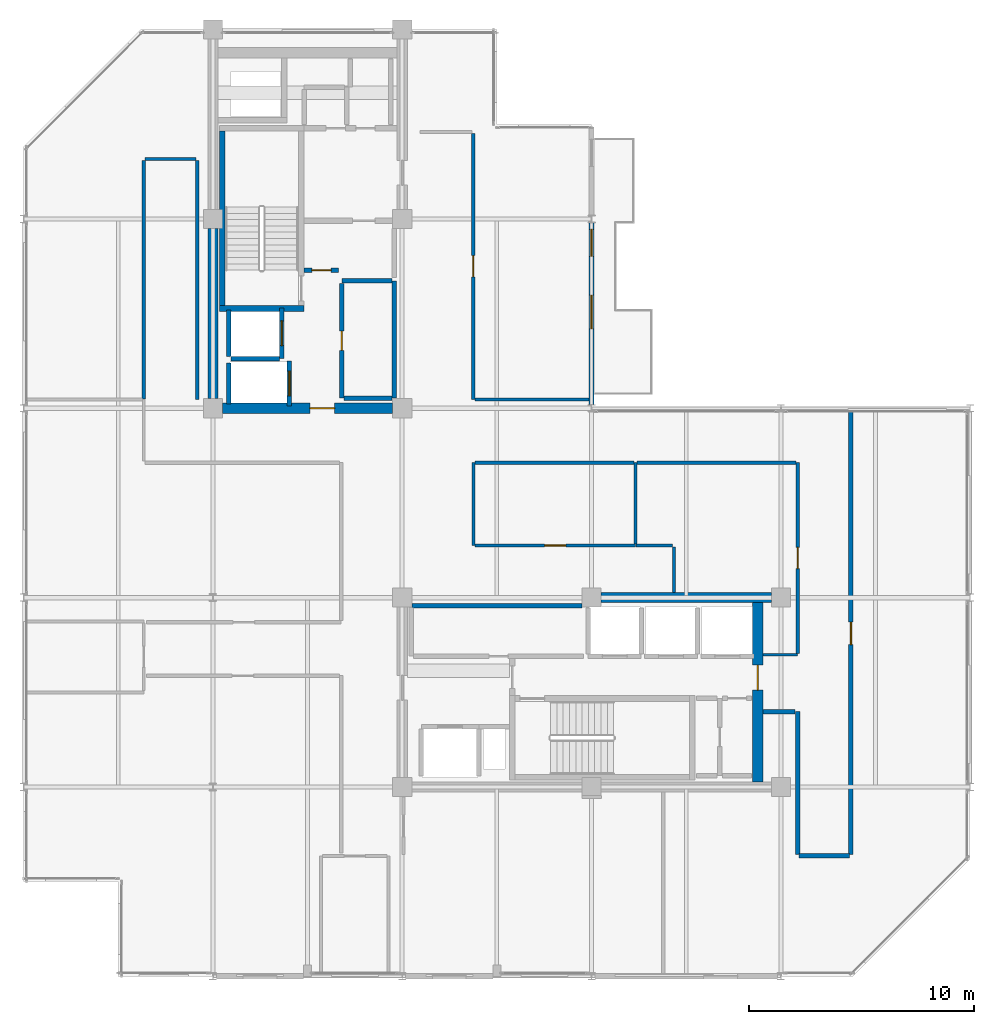
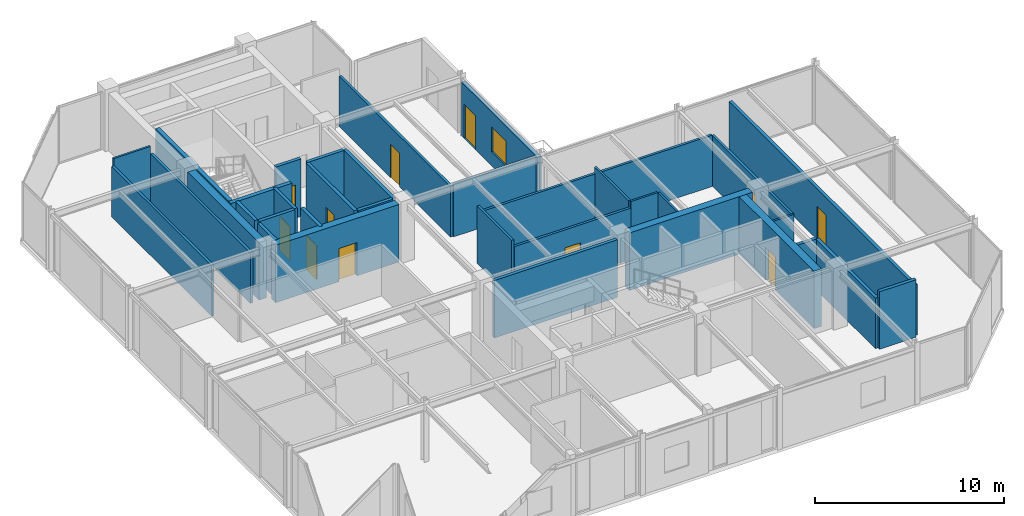
# One storey, part 22 of 26: 36 walls, 11 doors, 1 window, 12 openings.
"""IFC4 building model written with IfcOpenShell, lengths in metres."""

from ifc_helpers import new_model, si_unit, direction, frame, frame_2d, origin, place, context, subcontext, project, spatial, rectangle, extrude, material, layer, layer_set, type_object, element, fill, save


model = new_model("IFC4")

# Units and contexts
model_context = context("Model", 3, precision=1e-05, world=origin(), true_north=direction((0.0, 1.0)))
body_context = subcontext(model_context, "Body", "Model", "MODEL_VIEW")
ifc_project = project(units=[si_unit("LENGTHUNIT", "METRE"), si_unit("AREAUNIT", "SQUARE_METRE"), si_unit("VOLUMEUNIT", "CUBIC_METRE"), si_unit("PLANEANGLEUNIT", "RADIAN"), si_unit("MASSUNIT", "GRAM", prefix="KILO")], contexts=[model_context])

# Site, building, storey
site_placement = place(None, origin())
site = spatial("IfcSite", under=ifc_project, at=site_placement, CompositionType="ELEMENT")
building_placement = place(site_placement, origin())
building = spatial("IfcBuilding", under=site, at=building_placement, Name="Nerrivon Quay Data Exchange", CompositionType="ELEMENT")
storey_placement = place(building_placement, frame((0.0, 0.0, 270.199951171875)))
storey = spatial("IfcBuildingStorey", under=building, at=storey_placement, Name="L64", CompositionType="ELEMENT", Elevation=270.199951171875)

# Wall, openings, door, window
ifc_material_1 = material(Name="Architectural terracotta precast concrete N50 (50 MPa)", Category="masonry")
ifc_layer_1 = layer(ifc_material_1, 0.239990234375)
ifc_layer_set_1 = layer_set([ifc_layer_1], Name="Architectural terracotta precast concrete N50 (50 MPa)")
wall_type_1 = type_object("IfcWallType", Name="EW-PREC-240", PredefinedType="STANDARD", material=ifc_layer_set_1)
wall_1_placement = place(storey_placement, frame((25.199951171875, 33.4365234375, 0.0), z_axis=(0.0, 0.0, 1.0), x_axis=(0.0, -1.0, 0.0)))
wall_1 = element("IfcWall", 1, at=wall_1_placement, inside=storey, type_object=wall_type_1, Name="L64 Terrace Host Wall 23", PredefinedType="STANDARD", context=body_context, shape_type="SweptSolid", body=[
    extrude(rectangle(XDim=8.072998046875, YDim=0.239990234375, at=frame_2d((4.03662109375, 0.0))), origin(), (0.0, 0.0, 1.0), 3.47509765625),
])
opening_1_placement = place(wall_1_placement, frame((0.300048828125, 0.0, 0.0)))
opening_1 = element("IfcOpeningElement", 2, at=opening_1_placement, cuts=wall_1, Name="Opening TD1", PredefinedType="OPENING", context=body_context, shape_type="SweptSolid", body=[
    extrude(rectangle(XDim=1.199951171875, YDim=2.199951171875, at=frame_2d((0.60009765625, 1.10009765625))), frame((0.0, 0.1298828125, 0.0), z_axis=(0.0, -1.0, 0.0), x_axis=(1.0, 0.0, 0.0)), (0.0, 0.0, 1.0), 0.260009765625),
])
opening_2_placement = place(wall_1_placement, frame((3.21435546875, 0.0, 0.89990234375)))
opening_2 = element("IfcOpeningElement", 3, at=opening_2_placement, cuts=wall_1, Name="Opening WN4", PredefinedType="OPENING", context=body_context, shape_type="SweptSolid", body=[
    extrude(rectangle(XDim=1.5, YDim=1.60009765625, at=frame_2d((0.75, 0.800048828125))), frame((0.0, 0.1298828125, 0.0), z_axis=(0.0, -1.0, 0.0), x_axis=(1.0, 0.0, 0.0)), (0.0, 0.0, 1.0), 0.260009765625),
])
ifc_material_2 = material(Name="Double-glazed low-E solar control glass", Category="glass")
door_type_1 = type_object("IfcDoorType", Name="DR-TERR-1200x2200", OperationType="NOTDEFINED", PredefinedType="DOOR", material=ifc_material_2)
door_1_placement = place(opening_1_placement, origin())
door_1 = element("IfcDoor", 4, at=door_1_placement, inside=storey, type_object=door_type_1, Name="L64 Outdoor Terrace Access Door 23", OperationType="SINGLE_SWING_RIGHT", OverallHeight=2.199951171875, OverallWidth=1.199951171875, PredefinedType="DOOR", context=body_context, shape_type="SweptSolid", body=[
    extrude(rectangle(XDim=1.199951171875, YDim=2.199951171875, at=frame_2d((0.60009765625, 1.10009765625))), frame((0.0, 0.02490234375, 0.0), z_axis=(0.0, -1.0, 0.0), x_axis=(1.0, 0.0, 0.0)), (0.0, 0.0, 1.0), 0.050048828125),
])
fill(opening_1, door_1)
window_type = type_object("IfcWindowType", Name="WIN-W4-1500x1600", PartitioningType="SINGLE_PANEL", PredefinedType="WINDOW", material=ifc_material_2)
window_placement = place(opening_2_placement, origin())
window = element("IfcWindow", 5, at=window_placement, inside=storey, type_object=window_type, Name="L64 Terrace Side Window 23", OverallHeight=1.60009765625, OverallWidth=1.5, PartitioningType="SINGLE_PANEL", PredefinedType="WINDOW", context=body_context, shape_type="SweptSolid", body=[
    extrude(rectangle(XDim=1.5, YDim=1.60009765625, at=frame_2d((0.75, 0.800048828125))), frame((0.0, 0.030029296875, 0.0), z_axis=(0.0, -1.0, 0.0), x_axis=(1.0, 0.0, 0.0)), (0.0, 0.0, 1.0), 0.06005859375),
])
fill(opening_2, window)

# Wall
ifc_material_3 = material(Name="Concrete N50 (50 MPa)", Category="concrete")
ifc_layer_2 = layer(ifc_material_3, 0.449951171875)
ifc_layer_set_2 = layer_set([ifc_layer_2], Name="Concrete N50 (50 MPa)")
wall_type_2 = type_object("IfcWallType", Name="WALL-CW-550", PredefinedType="SHEAR", material=ifc_layer_set_2)
wall_2_placement = place(storey_placement, frame((8.39990234375, 25.625, 0.0), z_axis=(0.0, 0.0, 1.0), x_axis=(0.0, 1.0, 0.0)))
element("IfcWall", 6, at=wall_2_placement, inside=storey, type_object=wall_type_2, Name="L64 West Split-Core Shear Wall WCW-W1", PredefinedType="SHEAR", context=body_context, shape_type="SweptSolid", body=[
    extrude(rectangle(XDim=7.550048828125, YDim=0.449951171875, at=frame_2d((3.77490234375, 0.0))), origin(), (0.0, 0.0, 1.0), 3.72509765625),
])

# Wall, opening, door
wall_3_placement = place(storey_placement, frame((8.824951171875, 25.199951171875, 0.0), z_axis=(0.0, 0.0, 1.0), x_axis=(1.0, 0.0, 0.0)))
wall_3 = element("IfcWall", 7, at=wall_3_placement, inside=storey, type_object=wall_type_2, Name="L64 West Split-Core Shear Wall WCW-S1", PredefinedType="SHEAR", context=body_context, shape_type="SweptSolid", body=[
    extrude(rectangle(XDim=7.550048828125, YDim=0.449951171875, at=frame_2d((3.77490234375, 0.0))), origin(), (0.0, 0.0, 1.0), 3.72509765625),
])
opening_3_placement = place(wall_3_placement, frame((3.875, 0.0, 0.0)))
opening_3 = element("IfcOpeningElement", 8, at=opening_3_placement, cuts=wall_3, Name="Opening FD-120", PredefinedType="OPENING", context=body_context, shape_type="SweptSolid", body=[
    extrude(rectangle(XDim=1.10009765625, YDim=2.14990234375, at=frame_2d((0.550048828125, 1.074951171875))), frame((0.0, 0.23486328125, 0.0), z_axis=(0.0, -1.0, 0.0), x_axis=(1.0, 0.0, 0.0)), (0.0, 0.0, 1.0), 0.469970703125),
])
ifc_material_4 = material(Name="Powder-coated galvanized steel sheet", Category="steel")
door_type_2 = type_object("IfcDoorType", Name="DR-FD120-1100", OperationType="NOTDEFINED", PredefinedType="DOOR", material=ifc_material_4)
door_2_placement = place(opening_3_placement, origin())
door_2 = element("IfcDoor", 9, at=door_2_placement, inside=storey, type_object=door_type_2, Name="L64 West Core Lobby Fire Door", OperationType="SINGLE_SWING_RIGHT", OverallHeight=2.14990234375, OverallWidth=1.10009765625, PredefinedType="DOOR", context=body_context, shape_type="SweptSolid", body=[
    extrude(rectangle(XDim=1.10009765625, YDim=2.14990234375, at=frame_2d((0.550048828125, 1.074951171875))), frame((0.0, 0.02490234375, 0.0), z_axis=(0.0, -1.0, 0.0), x_axis=(1.0, 0.0, 0.0)), (0.0, 0.0, 1.0), 0.050048828125),
])
fill(opening_3, door_2)

wall_4_placement = place(storey_placement, frame((32.574951171875, 8.625, 0.0), z_axis=(0.0, 0.0, 1.0), x_axis=(0.0, 1.0, 0.0)))
wall_4 = element("IfcWall", 10, at=wall_4_placement, inside=storey, type_object=wall_type_2, Name="L64 East Split-Core Shear Wall ECW-E1", PredefinedType="SHEAR", context=body_context, shape_type="SweptSolid", body=[
    extrude(rectangle(XDim=7.949951171875, YDim=0.449951171875, at=frame_2d((3.97509765625, 0.0))), origin(), (0.0, 0.0, 1.0), 3.72509765625),
])
opening_4_placement = place(wall_4_placement, frame((4.074951171875, 0.0, 0.0)))
opening_4 = element("IfcOpeningElement", 11, at=opening_4_placement, cuts=wall_4, Name="Opening FD-120", PredefinedType="OPENING", context=body_context, shape_type="SweptSolid", body=[
    extrude(rectangle(XDim=1.10009765625, YDim=2.14990234375, at=frame_2d((0.550048828125, 1.074951171875))), frame((0.0, 0.23486328125, 0.0), z_axis=(0.0, -1.0, 0.0), x_axis=(1.0, 0.0, 0.0)), (0.0, 0.0, 1.0), 0.469970703125),
])
door_3_placement = place(opening_4_placement, origin())
door_3 = element("IfcDoor", 12, at=door_3_placement, inside=storey, type_object=door_type_2, Name="L64 East Core Lobby Fire Door", OperationType="SINGLE_SWING_LEFT", OverallHeight=2.14990234375, OverallWidth=1.10009765625, PredefinedType="DOOR", context=body_context, shape_type="SweptSolid", body=[
    extrude(rectangle(XDim=1.10009765625, YDim=2.14990234375, at=frame_2d((0.550048828125, 1.074951171875))), frame((0.0, 0.02490234375, 0.0), z_axis=(0.0, -1.0, 0.0), x_axis=(1.0, 0.0, 0.0)), (0.0, 0.0, 1.0), 0.050048828125),
])
fill(opening_4, door_3)

# Wall
wall_5_placement = place(storey_placement, frame((25.625, 16.800048828125, 0.0), z_axis=(0.0, 0.0, 1.0), x_axis=(1.0, 0.0, 0.0)))
element("IfcWall", 13, at=wall_5_placement, inside=storey, type_object=wall_type_2, Name="L64 East Split-Core Shear Wall ECW-N1", PredefinedType="SHEAR", context=body_context, shape_type="SweptSolid", body=[
    extrude(rectangle(XDim=7.550048828125, YDim=0.449951171875, at=frame_2d((3.77490234375, 0.0))), origin(), (0.0, 0.0, 1.0), 3.72509765625),
])

# Wall, opening, door
ifc_material_5 = material(Name="Gypsum plasterboard on cold-formed framing", Category="gypsum")
ifc_layer_3 = layer(ifc_material_5, 0.199951171875)
ifc_layer_set_3 = layer_set([ifc_layer_3], Name="Gypsum plasterboard on cold-formed framing")
wall_type_3 = type_object("IfcWallType", Name="WALL-FW-200", PredefinedType="PARTITIONING", material=ifc_layer_set_3)
wall_6_placement = place(storey_placement, frame((11.449951171875, 27.39990234375, 0.0), z_axis=(0.0, 0.0, 1.0), x_axis=(0.0, 1.0, 0.0)))
wall_6 = element("IfcWall", 14, at=wall_6_placement, inside=storey, type_object=wall_type_3, Name="L64 Lift Front Wall FFL-1", PredefinedType="PARTITIONING", context=body_context, shape_type="SweptSolid", body=[
    extrude(rectangle(XDim=2.25, YDim=0.199951171875, at=frame_2d((1.125, 0.0))), origin(), (0.0, 0.0, 1.0), 3.72509765625),
])
opening_5_placement = place(wall_6_placement, frame((0.574951171875, 0.0, 0.0)))
opening_5 = element("IfcOpeningElement", 15, at=opening_5_placement, cuts=wall_6, Name="Opening LD-120", PredefinedType="OPENING", context=body_context, shape_type="SweptSolid", body=[
    extrude(rectangle(XDim=1.10009765625, YDim=2.199951171875, at=frame_2d((0.550048828125, 1.10009765625))), frame((0.0, 0.10986328125, 0.0), z_axis=(0.0, -1.0, 0.0), x_axis=(1.0, 0.0, 0.0)), (0.0, 0.0, 1.0), 0.219970703125),
])
door_type_3 = type_object("IfcDoorType", Name="DR-LIFT-LD120", OperationType="DOUBLE_DOOR_SLIDING", PredefinedType="DOOR", material=ifc_material_4)
door_4_placement = place(opening_5_placement, origin())
door_4 = element("IfcDoor", 16, at=door_4_placement, inside=storey, type_object=door_type_3, Name="L64 Lift Landing Sliding Door FFL-1", OperationType="DOUBLE_DOOR_SLIDING", OverallHeight=2.199951171875, OverallWidth=1.10009765625, PredefinedType="DOOR", context=body_context, shape_type="SweptSolid", body=[
    extrude(rectangle(XDim=1.10009765625, YDim=2.199951171875, at=frame_2d((0.550048828125, 1.10009765625))), frame((0.0, 0.02490234375, 0.0), z_axis=(0.0, -1.0, 0.0), x_axis=(1.0, 0.0, 0.0)), (0.0, 0.0, 1.0), 0.050048828125),
])
fill(opening_5, door_4)

# Walls
wall_7_placement = place(storey_placement, frame((9.10009765625, 27.5, 0.0), z_axis=(0.0, 0.0, 1.0), x_axis=(0.0, 1.0, 0.0)))
element("IfcWall", 17, at=wall_7_placement, inside=storey, type_object=wall_type_3, Name="L64 Lift Shaft Wall FFL-1 WEST", PredefinedType="PARTITIONING", context=body_context, shape_type="SweptSolid", body=[
    extrude(rectangle(XDim=2.050048828125, YDim=0.199951171875, at=frame_2d((1.02490234375, 0.0))), origin(), (0.0, 0.0, 1.0), 3.72509765625),
])
wall_8_placement = place(storey_placement, frame((9.199951171875, 27.39990234375, 0.0), z_axis=(0.0, 0.0, 1.0), x_axis=(1.0, 0.0, 0.0)))
element("IfcWall", 18, at=wall_8_placement, inside=storey, type_object=wall_type_3, Name="L64 Lift Shaft Wall FFL-1 SOUTH", PredefinedType="PARTITIONING", context=body_context, shape_type="SweptSolid", body=[
    extrude(rectangle(XDim=2.150146484375, YDim=0.199951171875, at=frame_2d((1.0751953125, 0.0))), origin(), (0.0, 0.0, 1.0), 3.72509765625),
])

# Wall, opening, door
wall_9_placement = place(storey_placement, frame((11.800048828125, 25.300048828125, 0.0), z_axis=(0.0, 0.0, 1.0), x_axis=(0.0, 1.0, 0.0)))
wall_9 = element("IfcWall", 19, at=wall_9_placement, inside=storey, type_object=wall_type_3, Name="L64 Lift Front Wall SVL-1", PredefinedType="PARTITIONING", context=body_context, shape_type="SweptSolid", body=[
    extrude(rectangle(XDim=2.0, YDim=0.199951171875, at=frame_2d((1.0, 0.0))), origin(), (0.0, 0.0, 1.0), 3.72509765625),
])
opening_6_placement = place(wall_9_placement, frame((0.449951171875, 0.0, 0.0)))
opening_6 = element("IfcOpeningElement", 20, at=opening_6_placement, cuts=wall_9, Name="Opening LD-120", PredefinedType="OPENING", context=body_context, shape_type="SweptSolid", body=[
    extrude(rectangle(XDim=1.10009765625, YDim=2.199951171875, at=frame_2d((0.550048828125, 1.10009765625))), frame((0.0, 0.10986328125, 0.0), z_axis=(0.0, -1.0, 0.0), x_axis=(1.0, 0.0, 0.0)), (0.0, 0.0, 1.0), 0.219970703125),
])
door_5_placement = place(opening_6_placement, origin())
door_5 = element("IfcDoor", 21, at=door_5_placement, inside=storey, type_object=door_type_3, Name="L64 Lift Landing Sliding Door SVL-1", OperationType="DOUBLE_DOOR_SLIDING", OverallHeight=2.199951171875, OverallWidth=1.10009765625, PredefinedType="DOOR", context=body_context, shape_type="SweptSolid", body=[
    extrude(rectangle(XDim=1.10009765625, YDim=2.199951171875, at=frame_2d((0.550048828125, 1.10009765625))), frame((0.0, 0.02490234375, 0.0), z_axis=(0.0, -1.0, 0.0), x_axis=(1.0, 0.0, 0.0)), (0.0, 0.0, 1.0), 0.050048828125),
])
fill(opening_6, door_5)

# Walls
wall_10_placement = place(storey_placement, frame((9.10009765625, 25.39990234375, 0.0), z_axis=(0.0, 0.0, 1.0), x_axis=(0.0, 1.0, 0.0)))
element("IfcWall", 22, at=wall_10_placement, inside=storey, type_object=wall_type_3, Name="L64 Lift Shaft Wall SVL-1 WEST", PredefinedType="PARTITIONING", context=body_context, shape_type="SweptSolid", body=[
    extrude(rectangle(XDim=1.800048828125, YDim=0.199951171875, at=frame_2d((0.89990234375, 0.0))), origin(), (0.0, 0.0, 1.0), 3.72509765625),
])
wall_11_placement = place(storey_placement, frame((16.449951171875, 25.64990234375, 0.0), z_axis=(0.0, 0.0, 1.0), x_axis=(0.0, 1.0, 0.0)))
element("IfcWall", 23, at=wall_11_placement, inside=storey, type_object=wall_type_3, Name="L64 Partition Fibre Patch Store", PredefinedType="PARTITIONING", context=body_context, shape_type="SweptSolid", body=[
    extrude(rectangle(XDim=5.2001953125, YDim=0.199951171875, at=frame_2d((2.60009765625, 0.0))), origin(), (0.0, 0.0, 1.0), 3.72509765625),
])
wall_12_placement = place(storey_placement, frame((16.345947265625, 30.85009765625, 0.0), z_axis=(0.0, 0.0, 1.0), x_axis=(-1.0, 0.0, 0.0)))
element("IfcWall", 24, at=wall_12_placement, inside=storey, type_object=wall_type_3, Name="L64 Partition Fibre Patch Store", PredefinedType="PARTITIONING", context=body_context, shape_type="SweptSolid", body=[
    extrude(rectangle(XDim=2.225830078125, YDim=0.199951171875, at=frame_2d((1.11279296875, 0.0))), origin(), (0.0, 0.0, 1.0), 3.72509765625),
])

# Wall, opening, door
wall_13_placement = place(storey_placement, frame((14.1201171875, 30.74609375, 0.0), z_axis=(0.0, 0.0, 1.0), x_axis=(0.0, -1.0, 0.0)))
wall_13 = element("IfcWall", 25, at=wall_13_placement, inside=storey, type_object=wall_type_3, Name="L64 Partition Fibre Patch Store", PredefinedType="PARTITIONING", context=body_context, shape_type="SweptSolid", body=[
    extrude(rectangle(XDim=5.09619140625, YDim=0.199951171875, at=frame_2d((2.548095703125, 0.0))), origin(), (0.0, 0.0, 1.0), 3.72509765625),
])
opening_7_placement = place(wall_13_placement, frame((2.123046875, 0.0, 0.0)))
opening_7 = element("IfcOpeningElement", 26, at=opening_7_placement, cuts=wall_13, Name="Opening FD-60S", PredefinedType="OPENING", context=body_context, shape_type="SweptSolid", body=[
    extrude(rectangle(XDim=0.85009765625, YDim=2.14990234375, at=frame_2d((0.425048828125, 1.074951171875))), frame((0.0, 0.10986328125, 0.0), z_axis=(0.0, -1.0, 0.0), x_axis=(1.0, 0.0, 0.0)), (0.0, 0.0, 1.0), 0.219970703125),
])
ifc_material_6 = material(Name="Engineered hardwood timber", Category="wood")
door_type_4 = type_object("IfcDoorType", Name="DR-FD60-850", OperationType="NOTDEFINED", PredefinedType="DOOR", material=ifc_material_6)
door_6_placement = place(opening_7_placement, origin())
door_6 = element("IfcDoor", 27, at=door_6_placement, inside=storey, type_object=door_type_4, Name="L64 Door Fibre Patch Store", OperationType="SINGLE_SWING_LEFT", OverallHeight=2.14990234375, OverallWidth=0.85009765625, PredefinedType="DOOR", context=body_context, shape_type="SweptSolid", body=[
    extrude(rectangle(XDim=0.85009765625, YDim=2.14990234375, at=frame_2d((0.425048828125, 1.074951171875))), frame((0.0, 0.02490234375, 0.0), z_axis=(0.0, -1.0, 0.0), x_axis=(1.0, 0.0, 0.0)), (0.0, 0.0, 1.0), 0.050048828125),
])
fill(opening_7, door_6)

# Wall
wall_14_placement = place(storey_placement, frame((14.22412109375, 25.64990234375, 0.0), z_axis=(0.0, 0.0, 1.0), x_axis=(1.0, 0.0, 0.0)))
element("IfcWall", 28, at=wall_14_placement, inside=storey, type_object=wall_type_3, Name="L64 Partition Fibre Patch Store", PredefinedType="PARTITIONING", context=body_context, shape_type="SweptSolid", body=[
    extrude(rectangle(XDim=2.121826171875, YDim=0.199951171875, at=frame_2d((1.06103515625, 0.0))), origin(), (0.0, 0.0, 1.0), 3.72509765625),
])

# Wall, opening, door
wall_15_placement = place(storey_placement, frame((12.4541015625, 31.320068359375, 0.0), z_axis=(0.0, 0.0, 1.0), x_axis=(0.999999949061, -0.000319182876, 0.0)))
wall_15 = element("IfcWall", 29, at=wall_15_placement, inside=storey, type_object=wall_type_3, Name="L64 Partition Core Equipment Closet", PredefinedType="PARTITIONING", context=body_context, shape_type="SweptSolid", body=[
    extrude(rectangle(XDim=1.52978515625, YDim=0.199951171875, at=frame_2d((0.764892578125, 0.0))), origin(), (0.0, 0.0, 1.0), 3.72509765625),
])
opening_8_placement = place(wall_15_placement, frame((0.340087890625, 0.0, 0.0)))
opening_8 = element("IfcOpeningElement", 30, at=opening_8_placement, cuts=wall_15, Name="Opening FD-60S", PredefinedType="OPENING", context=body_context, shape_type="SweptSolid", body=[
    extrude(rectangle(XDim=0.85009765625, YDim=2.14990234375, at=frame_2d((0.425048828125, 1.074951171875))), frame((0.0, 0.10986328125, 0.0), z_axis=(0.0, -1.0, 0.0), x_axis=(1.0, 0.0, 0.0)), (0.0, 0.0, 1.0), 0.219970703125),
])
door_7_placement = place(opening_8_placement, origin())
door_7 = element("IfcDoor", 31, at=door_7_placement, inside=storey, type_object=door_type_4, Name="L64 Door Core Equipment Closet", OperationType="SINGLE_SWING_RIGHT", OverallHeight=2.14990234375, OverallWidth=0.85009765625, PredefinedType="DOOR", context=body_context, shape_type="SweptSolid", body=[
    extrude(rectangle(XDim=0.85009765625, YDim=2.14990234375, at=frame_2d((0.425048828125, 1.074951171875))), frame((0.0, 0.02490234375, 0.0), z_axis=(0.0, -1.0, 0.0), x_axis=(1.0, 0.0, 0.0)), (0.0, 0.0, 1.0), 0.050048828125),
])
fill(opening_8, door_7)

# Wall
wall_16_placement = place(storey_placement, frame((24.77001953125, 16.449951171875, 0.0), z_axis=(0.0, 0.0, 1.0), x_axis=(-1.0, 0.0, 0.0)))
element("IfcWall", 32, at=wall_16_placement, inside=storey, type_object=wall_type_3, Name="L64 Partition High-Zone Patching Archive", PredefinedType="PARTITIONING", context=body_context, shape_type="SweptSolid", body=[
    extrude(rectangle(XDim=7.5400390625, YDim=0.199951171875, at=frame_2d((3.77001953125, 0.0))), origin(), (0.0, 0.0, 1.0), 3.72509765625),
])

# Wall, opening, door
wall_17_placement = place(storey_placement, frame((36.7099609375, 25.031005859375, 0.0), z_axis=(0.0, 0.0, 1.0), x_axis=(0.0, -1.0, 0.0)))
wall_17 = element("IfcWall", 33, at=wall_17_placement, inside=storey, type_object=wall_type_3, Name="L64 Partition Colocation Data Workspace 1", PredefinedType="PARTITIONING", context=body_context, shape_type="SweptSolid", body=[
    extrude(rectangle(XDim=19.631103515625, YDim=0.199951171875, at=frame_2d((9.8154296875, 0.0))), origin(), (0.0, 0.0, 1.0), 3.27099609375),
])
opening_9_placement = place(wall_17_placement, frame((9.3154296875, 0.0, 0.0)))
opening_9 = element("IfcOpeningElement", 34, at=opening_9_placement, cuts=wall_17, Name="Opening FD-60", PredefinedType="OPENING", context=body_context, shape_type="SweptSolid", body=[
    extrude(rectangle(XDim=1.0, YDim=2.14990234375, at=frame_2d((0.5, 1.074951171875))), frame((0.0, 0.10986328125, 0.0), z_axis=(0.0, -1.0, 0.0), x_axis=(1.0, 0.0, 0.0)), (0.0, 0.0, 1.0), 0.219970703125),
])
door_type_5 = type_object("IfcDoorType", Name="DR-FD60-1000", OperationType="NOTDEFINED", PredefinedType="DOOR", material=ifc_material_6)
door_8_placement = place(opening_9_placement, origin())
door_8 = element("IfcDoor", 35, at=door_8_placement, inside=storey, type_object=door_type_5, Name="L64 Door Colocation Data Workspace 1", OperationType="SINGLE_SWING_RIGHT", OverallHeight=2.14990234375, OverallWidth=1.0, PredefinedType="DOOR", context=body_context, shape_type="SweptSolid", body=[
    extrude(rectangle(XDim=1.0, YDim=2.14990234375, at=frame_2d((0.5, 1.074951171875))), frame((0.0, 0.02490234375, 0.0), z_axis=(0.0, -1.0, 0.0), x_axis=(1.0, 0.0, 0.0)), (0.0, 0.0, 1.0), 0.050048828125),
])
fill(opening_9, door_8)

# Walls
wall_18_placement = place(storey_placement, frame((36.64990234375, 5.340087890625, 0.0), z_axis=(0.0, 0.0, 1.0), x_axis=(-1.0, 0.0, 0.0)))
element("IfcWall", 36, at=wall_18_placement, inside=storey, type_object=wall_type_3, Name="L64 Partition Colocation Data Workspace 1", PredefinedType="PARTITIONING", context=body_context, shape_type="SweptSolid", body=[
    extrude(rectangle(XDim=2.25, YDim=0.199951171875, at=frame_2d((1.125, 0.0))), origin(), (0.0, 0.0, 1.0), 3.72509765625),
])
wall_19_placement = place(storey_placement, frame((34.340087890625, 5.39990234375, 0.0), z_axis=(0.0, 0.0, 1.0), x_axis=(0.0, 1.0, 0.0)))
element("IfcWall", 37, at=wall_19_placement, inside=storey, type_object=wall_type_3, Name="L64 Partition Colocation Data Workspace 1", PredefinedType="PARTITIONING", context=body_context, shape_type="SweptSolid", body=[
    extrude(rectangle(XDim=6.340087890625, YDim=0.199951171875, at=frame_2d((3.169921875, 0.0))), origin(), (0.0, 0.0, 1.0), 3.27099609375),
])
wall_20_placement = place(storey_placement, frame((34.236083984375, 11.739990234375, 0.0), z_axis=(0.0, 0.0, 1.0), x_axis=(-1.0, 0.0, 0.0)))
element("IfcWall", 38, at=wall_20_placement, inside=storey, type_object=wall_type_3, Name="L64 Partition Colocation Data Workspace 1", PredefinedType="PARTITIONING", context=body_context, shape_type="SweptSolid", body=[
    extrude(rectangle(XDim=1.43212890625, YDim=0.199951171875, at=frame_2d((0.716064453125, 0.0))), origin(), (0.0, 0.0, 1.0), 3.319091796875),
])
ifc_layer_4 = layer(ifc_material_5, 0.1201171875)
ifc_layer_set_4 = layer_set([ifc_layer_4], Name="Gypsum plasterboard on cold-formed framing")
wall_type_4 = type_object("IfcWallType", Name="WALL-PT-120", PredefinedType="PARTITIONING", material=ifc_layer_set_4)
wall_21_placement = place(storey_placement, frame((28.860107421875, 19.050048828125, 0.0), z_axis=(0.0, 0.0, 1.0), x_axis=(0.0, -1.0, 0.0)))
element("IfcWall", 39, at=wall_21_placement, inside=storey, type_object=wall_type_4, Name="L64 Partition Network Security Control", PredefinedType="PARTITIONING", context=body_context, shape_type="SweptSolid", body=[
    extrude(rectangle(XDim=2.02099609375, YDim=0.1201171875, at=frame_2d((1.010498046875, 0.0))), origin(), (0.0, 0.0, 1.0), 3.72509765625),
])
wall_22_placement = place(storey_placement, frame((32.803955078125, 14.260009765625, 0.0), z_axis=(0.0, 0.0, 1.0), x_axis=(1.0, 0.0, 0.0)))
element("IfcWall", 40, at=wall_22_placement, inside=storey, type_object=wall_type_4, Name="L64 Partition Network Security Control", PredefinedType="PARTITIONING", context=body_context, shape_type="SweptSolid", body=[
    extrude(rectangle(XDim=1.5361328125, YDim=0.1201171875, at=frame_2d((0.76806640625, 0.0))), origin(), (0.0, 0.0, 1.0), 3.319091796875),
])
wall_23_placement = place(storey_placement, frame((27.169921875, 19.110107421875, 0.0), z_axis=(0.0, 0.0, 1.0), x_axis=(1.0, 0.0, 0.0)))
element("IfcWall", 41, at=wall_23_placement, inside=storey, type_object=wall_type_4, Name="L64 Partition Network Security Control", PredefinedType="PARTITIONING", context=body_context, shape_type="SweptSolid", body=[
    extrude(rectangle(XDim=1.630126953125, YDim=0.1201171875, at=frame_2d((0.81494140625, 0.0))), origin(), (0.0, 0.0, 1.0), 3.72509765625),
])
wall_24_placement = place(storey_placement, frame((5.39990234375, 36.260009765625, 0.0), z_axis=(0.0, 0.0, 1.0), x_axis=(1.0, 0.0, 0.0)))
element("IfcWall", 42, at=wall_24_placement, inside=storey, type_object=wall_type_4, Name="L64 Partition Technical Library", PredefinedType="PARTITIONING", context=body_context, shape_type="SweptSolid", body=[
    extrude(rectangle(XDim=2.25, YDim=0.1201171875, at=frame_2d((1.125, 0.0))), origin(), (0.0, 0.0, 1.0), 3.72509765625),
])
ifc_layer_5 = layer(ifc_material_5, 0.135009765625)
ifc_layer_set_5 = layer_set([ifc_layer_5], Name="Gypsum plasterboard on cold-formed framing")
wall_type_5 = type_object("IfcWallType", Name="WALL-PT-135", PredefinedType="PARTITIONING", material=ifc_layer_set_5)
wall_25_placement = place(storey_placement, frame((19.9599609375, 22.7900390625, 0.0), z_axis=(0.0, 0.0, 1.0), x_axis=(0.0, -1.0, 0.0)))
element("IfcWall", 43, at=wall_25_placement, inside=storey, type_object=wall_type_5, Name="L64 Partition Staff Pantry", PredefinedType="PARTITIONING", context=body_context, shape_type="SweptSolid", body=[
    extrude(rectangle(XDim=3.679931640625, YDim=0.135009765625, at=frame_2d((1.83984375, 0.0))), origin(), (0.0, 0.0, 1.0), 3.72509765625),
])
wall_26_placement = place(storey_placement, frame((27.14990234375, 19.18896484375, 0.0), z_axis=(0.0, 0.0, 1.0), x_axis=(0.0, 1.0, 0.0)))
element("IfcWall", 44, at=wall_26_placement, inside=storey, type_object=wall_type_5, Name="L64 Partition Staff Pantry", PredefinedType="PARTITIONING", context=body_context, shape_type="SweptSolid", body=[
    extrude(rectangle(XDim=3.60107421875, YDim=0.135009765625, at=frame_2d((1.800537109375, 0.0))), origin(), (0.0, 0.0, 1.0), 3.72509765625),
])
wall_27_placement = place(storey_placement, frame((20.0390625, 25.597900390625, 0.0), z_axis=(0.0, 0.0, 1.0), x_axis=(1.0, 0.0, 0.0)))
element("IfcWall", 45, at=wall_27_placement, inside=storey, type_object=wall_type_5, Name="L64 Partition Technical Library", PredefinedType="PARTITIONING", context=body_context, shape_type="SweptSolid", body=[
    extrude(rectangle(XDim=5.036865234375, YDim=0.135009765625, at=frame_2d((2.5185546875, 0.0))), origin(), (0.0, 0.0, 1.0), 3.421142578125),
])

# Wall, opening, door
ifc_layer_6 = layer(ifc_material_5, 0.14990234375)
ifc_layer_set_6 = layer_set([ifc_layer_6], Name="Gypsum plasterboard on cold-formed framing")
wall_type_6 = type_object("IfcWallType", Name="WALL-PT-150", PredefinedType="PARTITIONING", material=ifc_layer_set_6)
wall_28_placement = place(storey_placement, frame((20.031494140625, 19.110107421875, 0.0), z_axis=(0.0, 0.0, 1.0), x_axis=(1.0, 0.0, 0.0)))
wall_28 = element("IfcWall", 46, at=wall_28_placement, inside=storey, type_object=wall_type_6, Name="L64 Partition Staff Pantry", PredefinedType="PARTITIONING", context=body_context, shape_type="SweptSolid", body=[
    extrude(rectangle(XDim=7.118408203125, YDim=0.14990234375, at=frame_2d((3.55908203125, 0.0))), origin(), (0.0, 0.0, 1.0), 3.319091796875),
])
opening_10_placement = place(wall_28_placement, frame((3.084228515625, 0.0, 0.0)))
opening_10 = element("IfcOpeningElement", 47, at=opening_10_placement, cuts=wall_28, Name="Opening D-01", PredefinedType="OPENING", context=body_context, shape_type="SweptSolid", body=[
    extrude(rectangle(XDim=0.949951171875, YDim=2.14990234375, at=frame_2d((0.47509765625, 1.074951171875))), frame((0.0, 0.0849609375, 0.0), z_axis=(0.0, -1.0, 0.0), x_axis=(1.0, 0.0, 0.0)), (0.0, 0.0, 1.0), 0.169921875),
])
door_type_6 = type_object("IfcDoorType", Name="DR-INT-950", OperationType="NOTDEFINED", PredefinedType="DOOR", material=ifc_material_6)
door_9_placement = place(opening_10_placement, origin())
door_9 = element("IfcDoor", 48, at=door_9_placement, inside=storey, type_object=door_type_6, Name="L64 Door Staff Pantry", OperationType="SINGLE_SWING_RIGHT", OverallHeight=2.14990234375, OverallWidth=0.949951171875, PredefinedType="DOOR", context=body_context, shape_type="SweptSolid", body=[
    extrude(rectangle(XDim=0.949951171875, YDim=2.14990234375, at=frame_2d((0.47509765625, 1.074951171875))), frame((0.0, 0.02490234375, 0.0), z_axis=(0.0, -1.0, 0.0), x_axis=(1.0, 0.0, 0.0)), (0.0, 0.0, 1.0), 0.050048828125),
])
fill(opening_10, door_9)

# Wall
wall_29_placement = place(storey_placement, frame((27.07861328125, 22.7900390625, 0.0), z_axis=(0.0, 0.0, 1.0), x_axis=(-1.0, 0.0, 0.0)))
element("IfcWall", 49, at=wall_29_placement, inside=storey, type_object=wall_type_6, Name="L64 Partition Staff Pantry", PredefinedType="PARTITIONING", context=body_context, shape_type="SweptSolid", body=[
    extrude(rectangle(XDim=7.047119140625, YDim=0.14990234375, at=frame_2d((3.5234375, 0.0))), origin(), (0.0, 0.0, 1.0), 3.319091796875),
])

# Wall, opening, door
wall_30_placement = place(storey_placement, frame((34.340087890625, 14.323974609375, 0.0), z_axis=(0.0, 0.0, 1.0), x_axis=(0.0, 1.0, 0.0)))
wall_30 = element("IfcWall", 50, at=wall_30_placement, inside=storey, type_object=wall_type_6, Name="L64 Partition Network Security Control", PredefinedType="PARTITIONING", context=body_context, shape_type="SweptSolid", body=[
    extrude(rectangle(XDim=8.466064453125, YDim=0.14990234375, at=frame_2d((4.23291015625, 0.0))), origin(), (0.0, 0.0, 1.0), 3.27099609375),
])
opening_11_placement = place(wall_30_placement, frame((3.758056640625, 0.0, 0.0)))
opening_11 = element("IfcOpeningElement", 51, at=opening_11_placement, cuts=wall_30, Name="Opening D-01", PredefinedType="OPENING", context=body_context, shape_type="SweptSolid", body=[
    extrude(rectangle(XDim=0.949951171875, YDim=2.14990234375, at=frame_2d((0.47509765625, 1.074951171875))), frame((0.0, 0.0849609375, 0.0), z_axis=(0.0, -1.0, 0.0), x_axis=(1.0, 0.0, 0.0)), (0.0, 0.0, 1.0), 0.169921875),
])
door_10_placement = place(opening_11_placement, origin())
door_10 = element("IfcDoor", 52, at=door_10_placement, inside=storey, type_object=door_type_6, Name="L64 Door Network Security Control", OperationType="SINGLE_SWING_LEFT", OverallHeight=2.14990234375, OverallWidth=0.949951171875, PredefinedType="DOOR", context=body_context, shape_type="SweptSolid", body=[
    extrude(rectangle(XDim=0.949951171875, YDim=2.14990234375, at=frame_2d((0.47509765625, 1.074951171875))), frame((0.0, 0.02490234375, 0.0), z_axis=(0.0, -1.0, 0.0), x_axis=(1.0, 0.0, 0.0)), (0.0, 0.0, 1.0), 0.050048828125),
])
fill(opening_11, door_10)

# Wall
wall_31_placement = place(storey_placement, frame((34.260986328125, 22.7900390625, 0.0), z_axis=(0.0, 0.0, 1.0), x_axis=(-1.0, 0.0, 0.0)))
element("IfcWall", 53, at=wall_31_placement, inside=storey, type_object=wall_type_6, Name="L64 Partition Network Security Control", PredefinedType="PARTITIONING", context=body_context, shape_type="SweptSolid", body=[
    extrude(rectangle(XDim=7.03955078125, YDim=0.14990234375, at=frame_2d((3.519775390625, 0.0))), origin(), (0.0, 0.0, 1.0), 3.319091796875),
])

# Wall, opening, door
wall_32_placement = place(storey_placement, frame((19.9599609375, 37.39990234375, 0.0), z_axis=(0.0, 0.0, 1.0), x_axis=(0.0, -1.0, 0.0)))
wall_32 = element("IfcWall", 54, at=wall_32_placement, inside=storey, type_object=wall_type_6, Name="L64 Partition Technical Library", PredefinedType="PARTITIONING", context=body_context, shape_type="SweptSolid", body=[
    extrude(rectangle(XDim=11.802001953125, YDim=0.14990234375, at=frame_2d((5.90087890625, 0.0))), origin(), (0.0, 0.0, 1.0), 3.27099609375),
])
opening_12_placement = place(wall_32_placement, frame((5.426025390625, 0.0, 0.0)))
opening_12 = element("IfcOpeningElement", 55, at=opening_12_placement, cuts=wall_32, Name="Opening D-01", PredefinedType="OPENING", context=body_context, shape_type="SweptSolid", body=[
    extrude(rectangle(XDim=0.949951171875, YDim=2.14990234375, at=frame_2d((0.47509765625, 1.074951171875))), frame((0.0, 0.0849609375, 0.0), z_axis=(0.0, -1.0, 0.0), x_axis=(1.0, 0.0, 0.0)), (0.0, 0.0, 1.0), 0.169921875),
])
door_11_placement = place(opening_12_placement, origin())
door_11 = element("IfcDoor", 56, at=door_11_placement, inside=storey, type_object=door_type_6, Name="L64 Door Technical Library", OperationType="SINGLE_SWING_LEFT", OverallHeight=2.14990234375, OverallWidth=0.949951171875, PredefinedType="DOOR", context=body_context, shape_type="SweptSolid", body=[
    extrude(rectangle(XDim=0.949951171875, YDim=2.14990234375, at=frame_2d((0.47509765625, 1.074951171875))), frame((0.0, 0.02490234375, 0.0), z_axis=(0.0, -1.0, 0.0), x_axis=(1.0, 0.0, 0.0)), (0.0, 0.0, 1.0), 0.050048828125),
])
fill(opening_12, door_11)

# Walls
wall_33_placement = place(storey_placement, frame((5.340087890625, 25.617919921875, 0.0), z_axis=(0.0, 0.0, 1.0), x_axis=(0.0, 1.0, 0.0)))
element("IfcWall", 57, at=wall_33_placement, inside=storey, type_object=wall_type_6, Name="L64 Partition Technical Library", PredefinedType="PARTITIONING", context=body_context, shape_type="SweptSolid", body=[
    extrude(rectangle(XDim=10.58203125, YDim=0.14990234375, at=frame_2d((5.291015625, 0.0))), origin(), (0.0, 0.0, 1.0), 3.27099609375),
])
wall_34_placement = place(storey_placement, frame((7.7099609375, 36.199951171875, 0.0), z_axis=(0.0, 0.0, 1.0), x_axis=(0.0, -1.0, 0.0)))
element("IfcWall", 58, at=wall_34_placement, inside=storey, type_object=wall_type_6, Name="L64 Partition Technical Library", PredefinedType="PARTITIONING", context=body_context, shape_type="SweptSolid", body=[
    extrude(rectangle(XDim=10.60205078125, YDim=0.14990234375, at=frame_2d((5.301025390625, 0.0))), origin(), (0.0, 0.0, 1.0), 3.27099609375),
])
ifc_layer_7 = layer(ifc_material_3, 0.25)
ifc_layer_set_7 = layer_set([ifc_layer_7], Name="Concrete N50 (50 MPa)")
wall_type_7 = type_object("IfcWallType", Name="WALL-SW-250", PredefinedType="SHEAR", material=ifc_layer_set_7)
wall_35_placement = place(storey_placement, frame((12.449951171875, 29.625, 0.0), z_axis=(0.0, 0.0, 1.0), x_axis=(-1.0, 0.0, 0.0)))
element("IfcWall", 59, at=wall_35_placement, inside=storey, type_object=wall_type_7, Name="L64 ST01 Structural Stair Core Wall NEAR", PredefinedType="SHEAR", context=body_context, shape_type="SweptSolid", body=[
    extrude(rectangle(XDim=3.75, YDim=0.25, at=frame_2d((1.875, 0.0))), origin(), (0.0, 0.0, 1.0), 3.72509765625),
])
wall_36_placement = place(storey_placement, frame((8.824951171875, 29.75, 0.0), z_axis=(0.0, 0.0, 1.0), x_axis=(0.0, 1.0, 0.0)))
element("IfcWall", 60, at=wall_36_placement, inside=storey, type_object=wall_type_7, Name="L64 ST01 Structural Stair Core Wall RIGHT", PredefinedType="SHEAR", context=body_context, shape_type="SweptSolid", body=[
    extrude(rectangle(XDim=7.75, YDim=0.25, at=frame_2d((3.875, 0.0))), origin(), (0.0, 0.0, 1.0), 3.72509765625),
])

save(model, "model.ifc")
